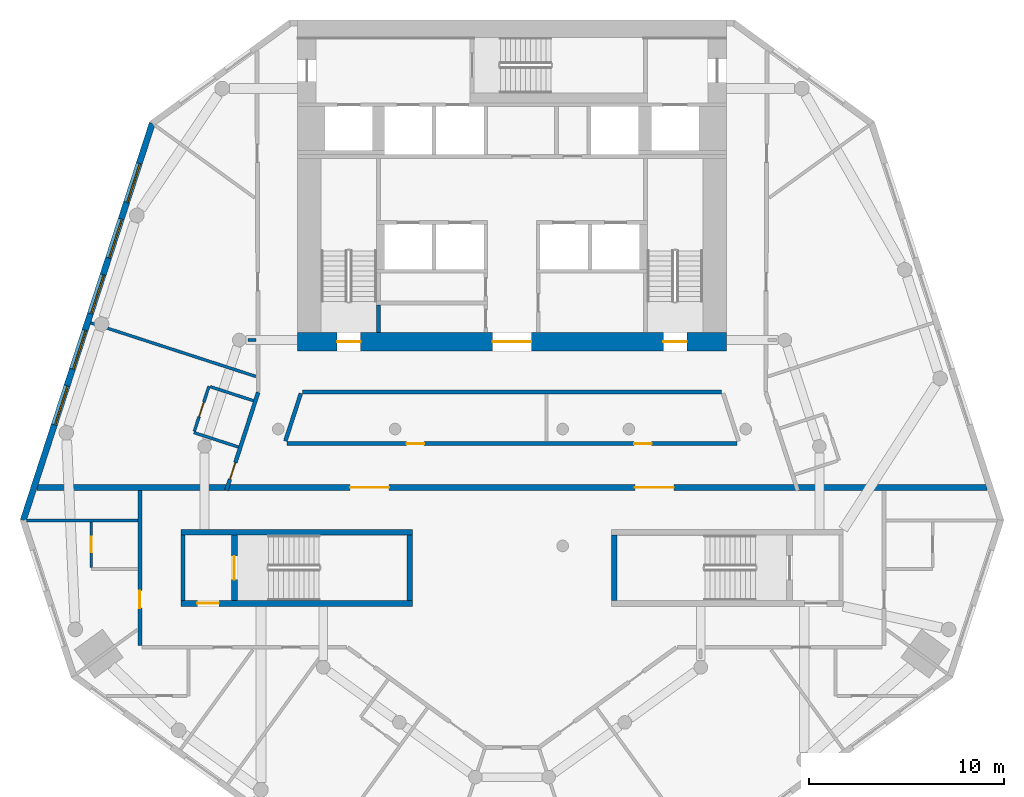
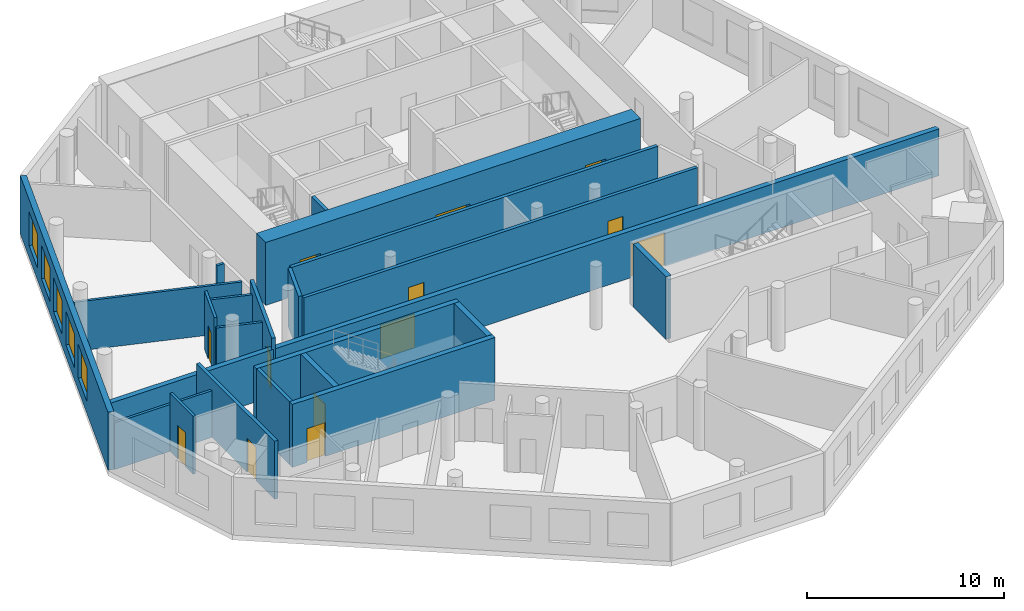
# One storey, part 3 of 9: 22 walls, 13 doors, 5 windows, 18 openings.
"""IFC4 building model written with IfcOpenShell, lengths in metres."""

from ifc_helpers import new_model, si_unit, direction, frame, frame_2d, origin, place, context, subcontext, project, spatial, rectangle, extrude, material, layer, layer_set, type_object, element, fill, save


model = new_model("IFC4")

# Units and contexts
model_context = context("Model", 3, precision=1e-05, world=origin(), true_north=direction((0.0, 1.0)))
body_context = subcontext(model_context, "Body", "Model", "MODEL_VIEW")
ifc_project = project(units=[si_unit("LENGTHUNIT", "METRE"), si_unit("AREAUNIT", "SQUARE_METRE"), si_unit("VOLUMEUNIT", "CUBIC_METRE"), si_unit("PLANEANGLEUNIT", "RADIAN"), si_unit("MASSUNIT", "GRAM", prefix="KILO")], contexts=[model_context])

# Site, building, storey
site_placement = place(None, origin())
site = spatial("IfcSite", under=ifc_project, at=site_placement, CompositionType="ELEMENT")
building_placement = place(site_placement, origin())
building = spatial("IfcBuilding", under=site, at=building_placement, Name="White Candle Pilgrim Tower", CompositionType="ELEMENT")
storey_placement = place(building_placement, frame((0.0, 0.0, 179.800048828125)))
storey = spatial("IfcBuildingStorey", under=building, at=storey_placement, Name="L41", CompositionType="ELEMENT", Elevation=179.800048828125)

# Wall
ifc_material_1 = material(Name="Concrete C60/75", Category="concrete")
ifc_layer_1 = layer(ifc_material_1, 0.199951171875)
ifc_layer_set_1 = layer_set([ifc_layer_1], Name="Core wall 200 mm Concrete C60/75")
wall_type_1 = type_object("IfcWallType", Name="Core wall 200 mm Concrete C60/75", PredefinedType="SHEAR", material=ifc_layer_set_1)
wall_1_placement = place(storey_placement, frame((53.10009765625, 58.199951171875, 0.0), z_axis=(0.0, 0.0, 1.0), x_axis=(0.0, 1.0, 0.0)))
element("IfcWall", 1, at=wall_1_placement, inside=storey, type_object=wall_type_1, Name="WL-L41-C03", PredefinedType="SHEAR", context=body_context, shape_type="SweptSolid", body=[
    extrude(rectangle(XDim=3.35009765625, YDim=0.199951171875, at=frame_2d((1.675048828125, 0.0))), origin(), (0.0, 0.0, 1.0), 3.89990234375),
])

# Wall, opening, door
ifc_material_2 = material(Name="Gypsum board on steel studs", Category="steel")
ifc_layer_2 = layer(ifc_material_2, 0.199951171875)
ifc_layer_set_2 = layer_set([ifc_layer_2], Name="Corridor wall 200 mm EI 45")
wall_type_2 = type_object("IfcWallType", Name="Corridor wall 200 mm EI 45", PredefinedType="PARTITIONING", material=ifc_layer_set_2)
wall_2_placement = place(storey_placement, frame((55.334716796875, 63.85009765625, 0.0), z_axis=(0.0, 0.0, 1.0), x_axis=(0.308996388153, 0.951063211416, 0.0)))
wall_2 = element("IfcWall", 2, at=wall_2_placement, inside=storey, type_object=wall_type_2, Name="WL-L41-P002", PredefinedType="PARTITIONING", context=body_context, shape_type="SweptSolid", body=[
    extrude(rectangle(XDim=5.293701171875, YDim=0.199951171875, at=frame_2d((2.64697265625, 0.0))), origin(), (0.0, 0.0, 1.0), 3.599853515625),
])
opening_1_placement = place(wall_2_placement, frame((0.60009765625, 0.0, 0.0)))
opening_1 = element("IfcOpeningElement", 3, at=opening_1_placement, cuts=wall_2, Name="Opening T12-122", PredefinedType="OPENING", context=body_context, shape_type="SweptSolid", body=[
    extrude(rectangle(XDim=0.89990234375, YDim=2.10009765625, at=frame_2d((0.449951171875, 1.050048828125))), frame((0.0, 0.10986328125, 0.0), z_axis=(0.0, -1.0, 0.0), x_axis=(1.0, 0.0, 0.0)), (0.0, 0.0, 1.0), 0.219970703125),
])
ifc_material_3 = material(Name="Steel door leaf", Category="steel")
door_type_1 = type_object("IfcDoorType", Name="Fire door 900 x 2100 EI 30", OperationType="NOTDEFINED", PredefinedType="DOOR", material=ifc_material_3)
door_1_placement = place(opening_1_placement, origin())
door_1 = element("IfcDoor", 4, at=door_1_placement, inside=storey, type_object=door_type_1, Name="Door T12-122", OperationType="SINGLE_SWING_RIGHT", OverallHeight=2.10009765625, OverallWidth=0.89990234375, PredefinedType="DOOR", context=body_context, shape_type="SweptSolid", body=[
    extrude(rectangle(XDim=0.89990234375, YDim=2.10009765625, at=frame_2d((0.449951171875, 1.050048828125))), frame((0.0, 0.02490234375, 0.0), z_axis=(0.0, -1.0, 0.0), x_axis=(1.0, 0.0, 0.0)), (0.0, 0.0, 1.0), 0.050048828125),
])
fill(opening_1, door_1)

wall_3_placement = place(storey_placement, frame((50.89990234375, 55.89990234375, 0.0), z_axis=(0.0, 0.0, 1.0), x_axis=(0.0, 1.0, 0.0)))
wall_3 = element("IfcWall", 5, at=wall_3_placement, inside=storey, type_object=wall_type_2, Name="WL-L41-P012", PredefinedType="PARTITIONING", context=body_context, shape_type="SweptSolid", body=[
    extrude(rectangle(XDim=7.9501953125, YDim=0.199951171875, at=frame_2d((3.97509765625, 0.0))), origin(), (0.0, 0.0, 1.0), 3.599853515625),
])
opening_2_placement = place(wall_3_placement, frame((1.90478515625, 0.0, 0.0)))
opening_2 = element("IfcOpeningElement", 6, at=opening_2_placement, cuts=wall_3, Name="Opening T12-103", PredefinedType="OPENING", context=body_context, shape_type="SweptSolid", body=[
    extrude(rectangle(XDim=0.89990234375, YDim=2.10009765625, at=frame_2d((0.449951171875, 1.050048828125))), frame((0.0, 0.10986328125, 0.0), z_axis=(0.0, -1.0, 0.0), x_axis=(1.0, 0.0, 0.0)), (0.0, 0.0, 1.0), 0.219970703125),
])
door_2_placement = place(opening_2_placement, origin())
door_2 = element("IfcDoor", 7, at=door_2_placement, inside=storey, type_object=door_type_1, Name="Door T12-103", OperationType="SINGLE_SWING_LEFT", OverallHeight=2.10009765625, OverallWidth=0.89990234375, PredefinedType="DOOR", context=body_context, shape_type="SweptSolid", body=[
    extrude(rectangle(XDim=0.89990234375, YDim=2.10009765625, at=frame_2d((0.449951171875, 1.050048828125))), frame((0.0, 0.02490234375, 0.0), z_axis=(0.0, -1.0, 0.0), x_axis=(1.0, 0.0, 0.0)), (0.0, 0.0, 1.0), 0.050048828125),
])
fill(opening_2, door_2)

# Wall
wall_4_placement = place(storey_placement, frame((59.1611328125, 68.830810546875, 0.0), z_axis=(0.0, 0.0, 1.0), x_axis=(-0.309053927645, -0.951044515155, 0.0)))
element("IfcWall", 8, at=wall_4_placement, inside=storey, type_object=wall_type_2, Name="WL-L41-P013", PredefinedType="PARTITIONING", context=body_context, shape_type="SweptSolid", body=[
    extrude(rectangle(XDim=2.576171875, YDim=0.199951171875, at=frame_2d((1.2880859375, 0.0))), origin(), (0.0, 0.0, 1.0), 3.599853515625),
])

# Wall, openings, doors
wall_5_placement = place(storey_placement, frame((58.460205078125, 66.25, 0.0), z_axis=(0.0, 0.0, 1.0), x_axis=(1.0, 0.0, 0.0)))
wall_5 = element("IfcWall", 9, at=wall_5_placement, inside=storey, type_object=wall_type_2, Name="WL-L41-P014", PredefinedType="PARTITIONING", context=body_context, shape_type="SweptSolid", body=[
    extrude(rectangle(XDim=23.07958984375, YDim=0.199951171875, at=frame_2d((11.539794921875, 0.0))), origin(), (0.0, 0.0, 1.0), 3.599853515625),
])
opening_3_placement = place(wall_5_placement, frame((6.131591796875, 0.0, 0.0)))
opening_3 = element("IfcOpeningElement", 10, at=opening_3_placement, cuts=wall_5, Name="Opening T12-120", PredefinedType="OPENING", context=body_context, shape_type="SweptSolid", body=[
    extrude(rectangle(XDim=0.89990234375, YDim=2.10009765625, at=frame_2d((0.449951171875, 1.050048828125))), frame((0.0, 0.10986328125, 0.0), z_axis=(0.0, -1.0, 0.0), x_axis=(1.0, 0.0, 0.0)), (0.0, 0.0, 1.0), 0.219970703125),
])
opening_4_placement = place(wall_5_placement, frame((17.80908203125, 0.0, 0.0)))
opening_4 = element("IfcOpeningElement", 11, at=opening_4_placement, cuts=wall_5, Name="Opening T12-121", PredefinedType="OPENING", context=body_context, shape_type="SweptSolid", body=[
    extrude(rectangle(XDim=0.89990234375, YDim=2.10009765625, at=frame_2d((0.449951171875, 1.050048828125))), frame((0.0, 0.10986328125, 0.0), z_axis=(0.0, -1.0, 0.0), x_axis=(1.0, 0.0, 0.0)), (0.0, 0.0, 1.0), 0.219970703125),
])
door_3_placement = place(opening_3_placement, origin())
door_3 = element("IfcDoor", 12, at=door_3_placement, inside=storey, type_object=door_type_1, Name="Door T12-120", OperationType="SINGLE_SWING_RIGHT", OverallHeight=2.10009765625, OverallWidth=0.89990234375, PredefinedType="DOOR", context=body_context, shape_type="SweptSolid", body=[
    extrude(rectangle(XDim=0.89990234375, YDim=2.10009765625, at=frame_2d((0.449951171875, 1.050048828125))), frame((0.0, 0.02490234375, 0.0), z_axis=(0.0, -1.0, 0.0), x_axis=(1.0, 0.0, 0.0)), (0.0, 0.0, 1.0), 0.050048828125),
])
fill(opening_3, door_3)
door_4_placement = place(opening_4_placement, origin())
door_4 = element("IfcDoor", 13, at=door_4_placement, inside=storey, type_object=door_type_1, Name="Door T12-121", OperationType="SINGLE_SWING_RIGHT", OverallHeight=2.10009765625, OverallWidth=0.89990234375, PredefinedType="DOOR", context=body_context, shape_type="SweptSolid", body=[
    extrude(rectangle(XDim=0.89990234375, YDim=2.10009765625, at=frame_2d((0.449951171875, 1.050048828125))), frame((0.0, 0.02490234375, 0.0), z_axis=(0.0, -1.0, 0.0), x_axis=(1.0, 0.0, 0.0)), (0.0, 0.0, 1.0), 0.050048828125),
])
fill(opening_4, door_4)

# Wall
wall_6_placement = place(storey_placement, frame((80.743896484375, 68.89990234375, 0.0), z_axis=(0.0, 0.0, 1.0), x_axis=(-1.0, 0.0, 0.0)))
element("IfcWall", 14, at=wall_6_placement, inside=storey, type_object=wall_type_2, Name="WL-L41-P016", PredefinedType="PARTITIONING", context=body_context, shape_type="SweptSolid", body=[
    extrude(rectangle(XDim=21.48779296875, YDim=0.199951171875, at=frame_2d((10.743896484375, 0.0))), origin(), (0.0, 0.0, 1.0), 3.599853515625),
])

# Wall, openings, windows
ifc_material_4 = material(Name="Precast concrete C40/50", Category="concrete")
ifc_layer_3 = layer(ifc_material_4, 0.320068359375)
ifc_layer_set_3 = layer_set([ifc_layer_3], Name="Facade wall EW1 precast concrete C40/50 pier wall with timber-lined reveals")
wall_type_3 = type_object("IfcWallType", Name="Facade wall EW1 precast concrete C40/50 pier wall with timber-lined reveals", PredefinedType="SOLIDWALL", material=ifc_layer_set_3)
wall_7_placement = place(storey_placement, frame((51.531494140625, 82.693603515625, 0.0), z_axis=(0.0, 0.0, 1.0), x_axis=(-0.309016769675, -0.951056589304, 0.0)))
wall_7 = element("IfcWall", 15, at=wall_7_placement, inside=storey, type_object=wall_type_3, Name="Facade wall L41 WNW", PredefinedType="SOLIDWALL", context=body_context, shape_type="SweptSolid", body=[
    extrude(rectangle(XDim=21.427978515625, YDim=0.320068359375, at=frame_2d((10.7138671875, 0.0))), origin(), (0.0, 0.0, 1.0), 3.599853515625),
])
opening_5_placement = place(wall_7_placement, frame((2.163818359375, 0.0, 0.75)))
opening_5 = element("IfcOpeningElement", 16, at=opening_5_placement, cuts=wall_7, Name="Opening W3", PredefinedType="OPENING", context=body_context, shape_type="SweptSolid", body=[
    extrude(rectangle(XDim=2.10009765625, YDim=2.10009765625, at=frame_2d((1.050048828125, 1.050048828125))), frame((0.0, 0.169921875, 0.0), z_axis=(0.0, -1.0, 0.0), x_axis=(1.0, 0.0, 0.0)), (0.0, 0.0, 1.0), 0.340087890625),
])
opening_6_placement = place(wall_7_placement, frame((5.163818359375, 0.0, 0.75)))
opening_6 = element("IfcOpeningElement", 17, at=opening_6_placement, cuts=wall_7, Name="Opening W3", PredefinedType="OPENING", context=body_context, shape_type="SweptSolid", body=[
    extrude(rectangle(XDim=2.10009765625, YDim=2.10009765625, at=frame_2d((1.050048828125, 1.050048828125))), frame((0.0, 0.169921875, 0.0), z_axis=(0.0, -1.0, 0.0), x_axis=(1.0, 0.0, 0.0)), (0.0, 0.0, 1.0), 0.340087890625),
])
opening_7_placement = place(wall_7_placement, frame((8.163818359375, 0.0, 0.75)))
opening_7 = element("IfcOpeningElement", 18, at=opening_7_placement, cuts=wall_7, Name="Opening W3", PredefinedType="OPENING", context=body_context, shape_type="SweptSolid", body=[
    extrude(rectangle(XDim=2.10009765625, YDim=2.10009765625, at=frame_2d((1.050048828125, 1.050048828125))), frame((0.0, 0.169921875, 0.0), z_axis=(0.0, -1.0, 0.0), x_axis=(1.0, 0.0, 0.0)), (0.0, 0.0, 1.0), 0.340087890625),
])
opening_8_placement = place(wall_7_placement, frame((11.163818359375, 0.0, 0.75)))
opening_8 = element("IfcOpeningElement", 19, at=opening_8_placement, cuts=wall_7, Name="Opening W3", PredefinedType="OPENING", context=body_context, shape_type="SweptSolid", body=[
    extrude(rectangle(XDim=2.10009765625, YDim=2.10009765625, at=frame_2d((1.050048828125, 1.050048828125))), frame((0.0, 0.169921875, 0.0), z_axis=(0.0, -1.0, 0.0), x_axis=(1.0, 0.0, 0.0)), (0.0, 0.0, 1.0), 0.340087890625),
])
opening_9_placement = place(wall_7_placement, frame((14.163818359375, 0.0, 0.75)))
opening_9 = element("IfcOpeningElement", 20, at=opening_9_placement, cuts=wall_7, Name="Opening W3", PredefinedType="OPENING", context=body_context, shape_type="SweptSolid", body=[
    extrude(rectangle(XDim=2.10009765625, YDim=2.10009765625, at=frame_2d((1.050048828125, 1.050048828125))), frame((0.0, 0.169921875, 0.0), z_axis=(0.0, -1.0, 0.0), x_axis=(1.0, 0.0, 0.0)), (0.0, 0.0, 1.0), 0.340087890625),
])
ifc_material_5 = material(Name="Timber frame with triple glazing", Category="wood")
window_type = type_object("IfcWindowType", Name="Window W3 2100x2100 timber frame triple glazing", PartitioningType="SINGLE_PANEL", PredefinedType="WINDOW", material=ifc_material_5)
window_1_placement = place(opening_5_placement, origin())
window_1 = element("IfcWindow", 21, at=window_1_placement, inside=storey, type_object=window_type, Name="Window W3 L41 WNW 1", OverallHeight=2.10009765625, OverallWidth=2.10009765625, PartitioningType="SINGLE_PANEL", PredefinedType="WINDOW", context=body_context, shape_type="SweptSolid", body=[
    extrude(rectangle(XDim=2.10009765625, YDim=2.10009765625, at=frame_2d((1.050048828125, 1.050048828125))), frame((0.0, 0.070068359375, 0.0), z_axis=(0.0, -1.0, 0.0), x_axis=(1.0, 0.0, 0.0)), (0.0, 0.0, 1.0), 0.06005859375),
])
fill(opening_5, window_1)
window_2_placement = place(opening_6_placement, origin())
window_2 = element("IfcWindow", 22, at=window_2_placement, inside=storey, type_object=window_type, Name="Window W3 L41 WNW 2", OverallHeight=2.10009765625, OverallWidth=2.10009765625, PartitioningType="SINGLE_PANEL", PredefinedType="WINDOW", context=body_context, shape_type="SweptSolid", body=[
    extrude(rectangle(XDim=2.10009765625, YDim=2.10009765625, at=frame_2d((1.050048828125, 1.050048828125))), frame((0.0, 0.070068359375, 0.0), z_axis=(0.0, -1.0, 0.0), x_axis=(1.0, 0.0, 0.0)), (0.0, 0.0, 1.0), 0.06005859375),
])
fill(opening_6, window_2)
window_3_placement = place(opening_7_placement, origin())
window_3 = element("IfcWindow", 23, at=window_3_placement, inside=storey, type_object=window_type, Name="Window W3 L41 WNW 3", OverallHeight=2.10009765625, OverallWidth=2.10009765625, PartitioningType="SINGLE_PANEL", PredefinedType="WINDOW", context=body_context, shape_type="SweptSolid", body=[
    extrude(rectangle(XDim=2.10009765625, YDim=2.10009765625, at=frame_2d((1.050048828125, 1.050048828125))), frame((0.0, 0.070068359375, 0.0), z_axis=(0.0, -1.0, 0.0), x_axis=(1.0, 0.0, 0.0)), (0.0, 0.0, 1.0), 0.06005859375),
])
fill(opening_7, window_3)
window_4_placement = place(opening_8_placement, origin())
window_4 = element("IfcWindow", 24, at=window_4_placement, inside=storey, type_object=window_type, Name="Window W3 L41 WNW 4", OverallHeight=2.10009765625, OverallWidth=2.10009765625, PartitioningType="SINGLE_PANEL", PredefinedType="WINDOW", context=body_context, shape_type="SweptSolid", body=[
    extrude(rectangle(XDim=2.10009765625, YDim=2.10009765625, at=frame_2d((1.050048828125, 1.050048828125))), frame((0.0, 0.070068359375, 0.0), z_axis=(0.0, -1.0, 0.0), x_axis=(1.0, 0.0, 0.0)), (0.0, 0.0, 1.0), 0.06005859375),
])
fill(opening_8, window_4)
window_5_placement = place(opening_9_placement, origin())
window_5 = element("IfcWindow", 25, at=window_5_placement, inside=storey, type_object=window_type, Name="Window W3 L41 WNW 5", OverallHeight=2.10009765625, OverallWidth=2.10009765625, PartitioningType="SINGLE_PANEL", PredefinedType="WINDOW", context=body_context, shape_type="SweptSolid", body=[
    extrude(rectangle(XDim=2.10009765625, YDim=2.10009765625, at=frame_2d((1.050048828125, 1.050048828125))), frame((0.0, 0.070068359375, 0.0), z_axis=(0.0, -1.0, 0.0), x_axis=(1.0, 0.0, 0.0)), (0.0, 0.0, 1.0), 0.06005859375),
])
fill(opening_9, window_5)

# Wall, openings, doors
ifc_material_6 = material(Name="Aerated concrete block", Category="concrete")
ifc_layer_4 = layer(ifc_material_6, 0.300048828125)
ifc_layer_set_4 = layer_set([ifc_layer_4], Name="Fire wall 300 mm REI 240")
wall_type_4 = type_object("IfcWallType", Name="Fire wall 300 mm REI 240", PredefinedType="PARTITIONING", material=ifc_layer_set_4)
wall_8_placement = place(storey_placement, frame((45.625732421875, 64.0, 0.0), z_axis=(0.0, 0.0, 1.0), x_axis=(1.0, 0.0, 0.0)))
wall_8 = element("IfcWall", 26, at=wall_8_placement, inside=storey, type_object=wall_type_4, Name="WL-L41-P001", PredefinedType="PARTITIONING", context=body_context, shape_type="SweptSolid", body=[
    extrude(rectangle(XDim=48.74853515625, YDim=0.300048828125, at=frame_2d((24.374267578125, 0.0))), origin(), (0.0, 0.0, 1.0), 2.89990234375),
])
opening_10_placement = place(wall_8_placement, frame((16.06591796875, 0.0, 0.0)))
opening_10 = element("IfcOpeningElement", 27, at=opening_10_placement, cuts=wall_8, Name="Opening T12-118", PredefinedType="OPENING", context=body_context, shape_type="SweptSolid", body=[
    extrude(rectangle(XDim=2.0, YDim=2.10009765625, at=frame_2d((1.0, 1.050048828125))), frame((0.0, 0.159912109375, 0.0), z_axis=(0.0, -1.0, 0.0), x_axis=(1.0, 0.0, 0.0)), (0.0, 0.0, 1.0), 0.320068359375),
])
opening_11_placement = place(wall_8_placement, frame((30.6826171875, 0.0, 0.0)))
opening_11 = element("IfcOpeningElement", 28, at=opening_11_placement, cuts=wall_8, Name="Opening T12-119", PredefinedType="OPENING", context=body_context, shape_type="SweptSolid", body=[
    extrude(rectangle(XDim=2.0, YDim=2.10009765625, at=frame_2d((1.0, 1.050048828125))), frame((0.0, 0.159912109375, 0.0), z_axis=(0.0, -1.0, 0.0), x_axis=(1.0, 0.0, 0.0)), (0.0, 0.0, 1.0), 0.320068359375),
])
door_type_2 = type_object("IfcDoorType", Name="Fire door 2000 x 2100 EI 60", OperationType="NOTDEFINED", PredefinedType="DOOR", material=ifc_material_3)
door_5_placement = place(opening_10_placement, origin())
door_5 = element("IfcDoor", 29, at=door_5_placement, inside=storey, type_object=door_type_2, Name="Door T12-118", OperationType="DOUBLE_DOOR_SINGLE_SWING", OverallHeight=2.10009765625, OverallWidth=2.0, PredefinedType="DOOR", context=body_context, shape_type="SweptSolid", body=[
    extrude(rectangle(XDim=2.0, YDim=2.10009765625, at=frame_2d((1.0, 1.050048828125))), frame((0.0, 0.02490234375, 0.0), z_axis=(0.0, -1.0, 0.0), x_axis=(1.0, 0.0, 0.0)), (0.0, 0.0, 1.0), 0.050048828125),
])
fill(opening_10, door_5)
door_6_placement = place(opening_11_placement, origin())
door_6 = element("IfcDoor", 30, at=door_6_placement, inside=storey, type_object=door_type_2, Name="Door T12-119", OperationType="DOUBLE_DOOR_SINGLE_SWING", OverallHeight=2.10009765625, OverallWidth=2.0, PredefinedType="DOOR", context=body_context, shape_type="SweptSolid", body=[
    extrude(rectangle(XDim=2.0, YDim=2.10009765625, at=frame_2d((1.0, 1.050048828125))), frame((0.0, 0.02490234375, 0.0), z_axis=(0.0, -1.0, 0.0), x_axis=(1.0, 0.0, 0.0)), (0.0, 0.0, 1.0), 0.050048828125),
])
fill(opening_11, door_6)

# Walls
ifc_layer_5 = layer(ifc_material_2, 0.14990234375)
ifc_layer_set_5 = layer_set([ifc_layer_5], Name="Partition 150 mm EI 60")
wall_type_5 = type_object("IfcWallType", Name="Partition 150 mm EI 60", PredefinedType="PARTITIONING", material=ifc_layer_set_5)
wall_9_placement = place(storey_placement, frame((45.078125, 62.314453125, 0.0), z_axis=(0.0, 0.0, 1.0), x_axis=(1.0, 0.0, 0.0)))
element("IfcWall", 31, at=wall_9_placement, inside=storey, type_object=wall_type_5, Name="WL-L41-P018", PredefinedType="PARTITIONING", context=body_context, shape_type="SweptSolid", body=[
    extrude(rectangle(XDim=5.721923828125, YDim=0.14990234375, at=frame_2d((2.86083984375, 0.0))), origin(), (0.0, 0.0, 1.0), 2.89990234375),
])
wall_10_placement = place(storey_placement, frame((48.372802734375, 72.45458984375, 0.0), z_axis=(0.0, 0.0, 1.0), x_axis=(0.951055809184, -0.30901917063, 0.0)))
element("IfcWall", 32, at=wall_10_placement, inside=storey, type_object=wall_type_5, Name="WL-L41-P025", PredefinedType="PARTITIONING", context=body_context, shape_type="SweptSolid", body=[
    extrude(rectangle(XDim=8.911865234375, YDim=0.14990234375, at=frame_2d((4.4560546875, 0.0))), origin(), (0.0, 0.0, 1.0), 3.050048828125),
])
wall_11_placement = place(storey_placement, frame((55.953369140625, 66.07763671875, 0.0), z_axis=(0.0, 0.0, 1.0), x_axis=(-0.951046776628, 0.309046968381, 0.0)))
element("IfcWall", 33, at=wall_11_placement, inside=storey, type_object=wall_type_5, Name="WL-L41-P026", PredefinedType="PARTITIONING", context=body_context, shape_type="SweptSolid", body=[
    extrude(rectangle(XDim=2.39990234375, YDim=0.14990234375, at=frame_2d((1.199951171875, 0.0))), origin(), (0.0, 0.0, 1.0), 3.050048828125),
])

# Wall, opening, door
wall_12_placement = place(storey_placement, frame((54.443359375, 69.197021484375, 0.0), z_axis=(0.0, 0.0, 1.0), x_axis=(-0.308969972841, -0.951071793233, 0.0)))
wall_12 = element("IfcWall", 34, at=wall_12_placement, inside=storey, type_object=wall_type_5, Name="WL-L41-P027", PredefinedType="PARTITIONING", context=body_context, shape_type="SweptSolid", body=[
    extrude(rectangle(XDim=2.425048828125, YDim=0.14990234375, at=frame_2d((1.21240234375, 0.0))), origin(), (0.0, 0.0, 1.0), 3.599853515625),
])
opening_12_placement = place(wall_12_placement, frame((0.85009765625, 0.0, 0.0)))
opening_12 = element("IfcOpeningElement", 35, at=opening_12_placement, cuts=wall_12, Name="Opening T12-101", PredefinedType="OPENING", context=body_context, shape_type="SweptSolid", body=[
    extrude(rectangle(XDim=0.800048828125, YDim=2.10009765625, at=frame_2d((0.39990234375, 1.050048828125))), frame((0.0, 0.0849609375, 0.0), z_axis=(0.0, -1.0, 0.0), x_axis=(1.0, 0.0, 0.0)), (0.0, 0.0, 1.0), 0.169921875),
])
door_type_3 = type_object("IfcDoorType", Name="Fire door 800 x 2100 EI 30", OperationType="NOTDEFINED", PredefinedType="DOOR", material=ifc_material_3)
door_7_placement = place(opening_12_placement, frame((0.800048828125, 0.0, 0.0), z_axis=(0.0, 0.0, 1.0), x_axis=(-1.0, 0.0, 0.0)))
door_7 = element("IfcDoor", 36, at=door_7_placement, inside=storey, type_object=door_type_3, Name="Door T12-101", OperationType="SINGLE_SWING_RIGHT", OverallHeight=2.10009765625, OverallWidth=0.800048828125, PredefinedType="DOOR", context=body_context, shape_type="SweptSolid", body=[
    extrude(rectangle(XDim=0.800048828125, YDim=2.10009765625, at=frame_2d((0.39990234375, 1.050048828125))), frame((0.0, 0.02490234375, 0.0), z_axis=(0.0, -1.0, 0.0), x_axis=(1.0, 0.0, 0.0)), (0.0, 0.0, 1.0), 0.050048828125),
])
fill(opening_12, door_7)

# Wall
wall_13_placement = place(storey_placement, frame((56.725830078125, 68.455322265625, 0.0), z_axis=(0.0, 0.0, 1.0), x_axis=(-0.951050272606, 0.309036209813, 0.0)))
element("IfcWall", 37, at=wall_13_placement, inside=storey, type_object=wall_type_5, Name="WL-L41-P028", PredefinedType="PARTITIONING", context=body_context, shape_type="SweptSolid", body=[
    extrude(rectangle(XDim=2.324951171875, YDim=0.14990234375, at=frame_2d((1.16259765625, 0.0))), origin(), (0.0, 0.0, 1.0), 3.050048828125),
])

# Wall, opening, door
wall_14_placement = place(storey_placement, frame((48.39990234375, 62.239501953125, 0.0), z_axis=(0.0, 0.0, 1.0), x_axis=(0.0, -1.0, 0.0)))
wall_14 = element("IfcWall", 38, at=wall_14_placement, inside=storey, type_object=wall_type_5, Name="WL-L41-P030", PredefinedType="PARTITIONING", context=body_context, shape_type="SweptSolid", body=[
    extrude(rectangle(XDim=2.35009765625, YDim=0.14990234375, at=frame_2d((1.175048828125, 0.0))), origin(), (0.0, 0.0, 1.0), 3.599853515625),
])
opening_13_placement = place(wall_14_placement, frame((0.77490234375, 0.0, 0.0)))
opening_13 = element("IfcOpeningElement", 39, at=opening_13_placement, cuts=wall_14, Name="Opening T12-102", PredefinedType="OPENING", context=body_context, shape_type="SweptSolid", body=[
    extrude(rectangle(XDim=0.800048828125, YDim=2.10009765625, at=frame_2d((0.39990234375, 1.050048828125))), frame((0.0, 0.0849609375, 0.0), z_axis=(0.0, -1.0, 0.0), x_axis=(1.0, 0.0, 0.0)), (0.0, 0.0, 1.0), 0.169921875),
])
door_8_placement = place(opening_13_placement, frame((0.800048828125, 0.0, 0.0), z_axis=(0.0, 0.0, 1.0), x_axis=(-1.0, 0.0, 0.0)))
door_8 = element("IfcDoor", 40, at=door_8_placement, inside=storey, type_object=door_type_3, Name="Door T12-102", OperationType="SINGLE_SWING_LEFT", OverallHeight=2.10009765625, OverallWidth=0.800048828125, PredefinedType="DOOR", context=body_context, shape_type="SweptSolid", body=[
    extrude(rectangle(XDim=0.800048828125, YDim=2.10009765625, at=frame_2d((0.39990234375, 1.050048828125))), frame((0.0, 0.02490234375, 0.0), z_axis=(0.0, -1.0, 0.0), x_axis=(1.0, 0.0, 0.0)), (0.0, 0.0, 1.0), 0.050048828125),
])
fill(opening_13, door_8)

# Walls
wall_15_placement = place(storey_placement, frame((56.43994140625, 71.572509765625, 0.0), z_axis=(0.0, 0.0, 1.0), x_axis=(0.999991879904, 0.004029903949, 0.0)))
element("IfcWall", 41, at=wall_15_placement, inside=storey, type_object=wall_type_5, Name="WL-L41-P054", PredefinedType="PARTITIONING", context=body_context, shape_type="SweptSolid", body=[
    extrude(rectangle(XDim=0.424072265625, YDim=0.14990234375, at=frame_2d((0.2119140625, 0.0))), origin(), (0.0, 0.0, 1.0), 3.050048828125),
])
ifc_layer_6 = layer(ifc_material_1, 0.199951171875)
ifc_layer_set_6 = layer_set([ifc_layer_6], Name="Stair shaft wall 200 mm Concrete C60/75")
wall_type_6 = type_object("IfcWallType", Name="Stair shaft wall 200 mm Concrete C60/75", PredefinedType="SHEAR", material=ifc_layer_set_6)
wall_16_placement = place(storey_placement, frame((63.14990234375, 71.949951171875, 0.0), z_axis=(0.0, 0.0, 1.0), x_axis=(0.0, 1.0, 0.0)))
element("IfcWall", 42, at=wall_16_placement, inside=storey, type_object=wall_type_6, Name="WL-L41-C13", PredefinedType="SHEAR", context=body_context, shape_type="SweptSolid", body=[
    extrude(rectangle(XDim=1.425048828125, YDim=0.199951171875, at=frame_2d((0.71240234375, 0.0))), origin(), (0.0, 0.0, 1.0), 3.89990234375),
])

# Wall, opening, door
ifc_layer_7 = layer(ifc_material_1, 0.300048828125)
ifc_layer_set_7 = layer_set([ifc_layer_7], Name="Stair shaft wall 300 mm Concrete C60/75")
wall_type_7 = type_object("IfcWallType", Name="Stair shaft wall 300 mm Concrete C60/75", PredefinedType="SHEAR", material=ifc_layer_set_7)
wall_17_placement = place(storey_placement, frame((53.0, 58.050048828125, 0.0), z_axis=(0.0, 0.0, 1.0), x_axis=(1.0, 0.0, 0.0)))
wall_17 = element("IfcWall", 43, at=wall_17_placement, inside=storey, type_object=wall_type_7, Name="WL-L41-C01", PredefinedType="SHEAR", context=body_context, shape_type="SweptSolid", body=[
    extrude(rectangle(XDim=11.89990234375, YDim=0.300048828125, at=frame_2d((5.949951171875, 0.0))), origin(), (0.0, 0.0, 1.0), 3.89990234375),
])
opening_14_placement = place(wall_17_placement, frame((0.85009765625, 0.0, 0.0)))
opening_14 = element("IfcOpeningElement", 44, at=opening_14_placement, cuts=wall_17, Name="Opening T12-010", PredefinedType="OPENING", context=body_context, shape_type="SweptSolid", body=[
    extrude(rectangle(XDim=1.10009765625, YDim=2.10009765625, at=frame_2d((0.550048828125, 1.050048828125))), frame((0.0, 0.159912109375, 0.0), z_axis=(0.0, -1.0, 0.0), x_axis=(1.0, 0.0, 0.0)), (0.0, 0.0, 1.0), 0.320068359375),
])
door_type_4 = type_object("IfcDoorType", Name="Fire door 1100 x 2100 EI 60", OperationType="NOTDEFINED", PredefinedType="DOOR", material=ifc_material_3)
door_9_placement = place(opening_14_placement, origin())
door_9 = element("IfcDoor", 45, at=door_9_placement, inside=storey, type_object=door_type_4, Name="Door T12-010", OperationType="SINGLE_SWING_RIGHT", OverallHeight=2.10009765625, OverallWidth=1.10009765625, PredefinedType="DOOR", context=body_context, shape_type="SweptSolid", body=[
    extrude(rectangle(XDim=1.10009765625, YDim=2.10009765625, at=frame_2d((0.550048828125, 1.050048828125))), frame((0.0, 0.02490234375, 0.0), z_axis=(0.0, -1.0, 0.0), x_axis=(1.0, 0.0, 0.0)), (0.0, 0.0, 1.0), 0.050048828125),
])
fill(opening_14, door_9)

wall_18_placement = place(storey_placement, frame((55.75, 58.199951171875, 0.0), z_axis=(0.0, 0.0, 1.0), x_axis=(0.0, 1.0, 0.0)))
wall_18 = element("IfcWall", 46, at=wall_18_placement, inside=storey, type_object=wall_type_7, Name="WL-L41-C04", PredefinedType="SHEAR", context=body_context, shape_type="SweptSolid", body=[
    extrude(rectangle(XDim=3.35009765625, YDim=0.300048828125, at=frame_2d((1.675048828125, 0.0))), origin(), (0.0, 0.0, 1.0), 3.89990234375),
])
opening_15_placement = place(wall_18_placement, frame((1.074951171875, 0.0, 0.0)))
opening_15 = element("IfcOpeningElement", 47, at=opening_15_placement, cuts=wall_18, Name="Opening T12-011", PredefinedType="OPENING", context=body_context, shape_type="SweptSolid", body=[
    extrude(rectangle(XDim=1.199951171875, YDim=2.10009765625, at=frame_2d((0.60009765625, 1.050048828125))), frame((0.0, 0.159912109375, 0.0), z_axis=(0.0, -1.0, 0.0), x_axis=(1.0, 0.0, 0.0)), (0.0, 0.0, 1.0), 0.320068359375),
])
door_type_5 = type_object("IfcDoorType", Name="Fire door 1200 x 2100 EI 60", OperationType="NOTDEFINED", PredefinedType="DOOR", material=ifc_material_3)
door_10_placement = place(opening_15_placement, frame((1.199951171875, 0.0, 0.0), z_axis=(0.0, 0.0, 1.0), x_axis=(-1.0, 0.0, 0.0)))
door_10 = element("IfcDoor", 48, at=door_10_placement, inside=storey, type_object=door_type_5, Name="Door T12-011", OperationType="SINGLE_SWING_RIGHT", OverallHeight=2.10009765625, OverallWidth=1.199951171875, PredefinedType="DOOR", context=body_context, shape_type="SweptSolid", body=[
    extrude(rectangle(XDim=1.199951171875, YDim=2.10009765625, at=frame_2d((0.60009765625, 1.050048828125))), frame((0.0, 0.02490234375, 0.0), z_axis=(0.0, -1.0, 0.0), x_axis=(1.0, 0.0, 0.0)), (0.0, 0.0, 1.0), 0.050048828125),
])
fill(opening_15, door_10)

# Walls
for number, where, z_axis, x_axis, name in (
    (49, (64.75, 58.199951171875, 0.0), (0.0, 0.0, 1.0), (0.0, 1.0, 0.0), "WL-L41-C05"),
    (50, (75.25, 58.199951171875, 0.0), (0.0, 0.0, 1.0), (0.0, 1.0, 0.0), "WL-L41-C06"),
):
    element("IfcWall", number, at=place(storey_placement, frame(where, z_axis=z_axis, x_axis=x_axis)), inside=storey, type_object=wall_type_7, Name=name, PredefinedType="SHEAR", context=body_context, shape_type="SweptSolid", body=[
        extrude(rectangle(XDim=3.35009765625, YDim=0.300048828125, at=frame_2d((1.675048828125, 0.0))), origin(), (0.0, 0.0, 1.0), 3.89990234375),
    ])
wall_19_placement = place(storey_placement, frame((53.0, 61.699951171875, 0.0), z_axis=(0.0, 0.0, 1.0), x_axis=(1.0, 0.0, 0.0)))
element("IfcWall", 51, at=wall_19_placement, inside=storey, type_object=wall_type_7, Name="WL-L41-C09", PredefinedType="SHEAR", context=body_context, shape_type="SweptSolid", body=[
    extrude(rectangle(XDim=11.89990234375, YDim=0.300048828125, at=frame_2d((5.949951171875, 0.0))), origin(), (0.0, 0.0, 1.0), 3.89990234375),
])

# Wall, openings, doors
ifc_layer_8 = layer(ifc_material_1, 0.949951171875)
ifc_layer_set_8 = layer_set([ifc_layer_8], Name="Stair shaft wall 950 mm Concrete C60/75")
wall_type_8 = type_object("IfcWallType", Name="Stair shaft wall 950 mm Concrete C60/75", PredefinedType="SHEAR", material=ifc_layer_set_8)
wall_20_placement = place(storey_placement, frame((59.0, 71.47509765625, 0.0), z_axis=(0.0, 0.0, 1.0), x_axis=(1.0, 0.0, 0.0)))
wall_20 = element("IfcWall", 52, at=wall_20_placement, inside=storey, type_object=wall_type_8, Name="WL-L41-C11", PredefinedType="SHEAR", context=body_context, shape_type="SweptSolid", body=[
    extrude(rectangle(XDim=22.0, YDim=0.949951171875, at=frame_2d((11.0, 0.0))), origin(), (0.0, 0.0, 1.0), 3.89990234375),
])
opening_16_placement = place(wall_20_placement, frame((2.02490234375, 0.0, 0.0)))
opening_16 = element("IfcOpeningElement", 53, at=opening_16_placement, cuts=wall_20, Name="Opening T12-001", PredefinedType="OPENING", context=body_context, shape_type="SweptSolid", body=[
    extrude(rectangle(XDim=1.199951171875, YDim=2.10009765625, at=frame_2d((0.60009765625, 1.050048828125))), frame((0.0, 0.48486328125, 0.0), z_axis=(0.0, -1.0, 0.0), x_axis=(1.0, 0.0, 0.0)), (0.0, 0.0, 1.0), 0.969970703125),
])
opening_17_placement = place(wall_20_placement, frame((18.77490234375, 0.0, 0.0)))
opening_17 = element("IfcOpeningElement", 54, at=opening_17_placement, cuts=wall_20, Name="Opening T12-002", PredefinedType="OPENING", context=body_context, shape_type="SweptSolid", body=[
    extrude(rectangle(XDim=1.199951171875, YDim=2.10009765625, at=frame_2d((0.60009765625, 1.050048828125))), frame((0.0, 0.48486328125, 0.0), z_axis=(0.0, -1.0, 0.0), x_axis=(1.0, 0.0, 0.0)), (0.0, 0.0, 1.0), 0.969970703125),
])
opening_18_placement = place(wall_20_placement, frame((10.0, 0.0, 0.0)))
opening_18 = element("IfcOpeningElement", 55, at=opening_18_placement, cuts=wall_20, Name="Opening T12-004", PredefinedType="OPENING", context=body_context, shape_type="SweptSolid", body=[
    extrude(rectangle(XDim=2.0, YDim=2.10009765625, at=frame_2d((1.0, 1.050048828125))), frame((0.0, 0.48486328125, 0.0), z_axis=(0.0, -1.0, 0.0), x_axis=(1.0, 0.0, 0.0)), (0.0, 0.0, 1.0), 0.969970703125),
])
door_11_placement = place(opening_16_placement, frame((1.199951171875, 0.0, 0.0), z_axis=(0.0, 0.0, 1.0), x_axis=(-1.0, 0.0, 0.0)))
door_11 = element("IfcDoor", 56, at=door_11_placement, inside=storey, type_object=door_type_5, Name="Door T12-001", OperationType="SINGLE_SWING_RIGHT", OverallHeight=2.10009765625, OverallWidth=1.199951171875, PredefinedType="DOOR", context=body_context, shape_type="SweptSolid", body=[
    extrude(rectangle(XDim=1.199951171875, YDim=2.10009765625, at=frame_2d((0.60009765625, 1.050048828125))), frame((0.0, 0.02490234375, 0.0), z_axis=(0.0, -1.0, 0.0), x_axis=(1.0, 0.0, 0.0)), (0.0, 0.0, 1.0), 0.050048828125),
])
fill(opening_16, door_11)
door_12_placement = place(opening_17_placement, frame((1.199951171875, 0.0, 0.0), z_axis=(0.0, 0.0, 1.0), x_axis=(-1.0, 0.0, 0.0)))
door_12 = element("IfcDoor", 57, at=door_12_placement, inside=storey, type_object=door_type_5, Name="Door T12-002", OperationType="SINGLE_SWING_LEFT", OverallHeight=2.10009765625, OverallWidth=1.199951171875, PredefinedType="DOOR", context=body_context, shape_type="SweptSolid", body=[
    extrude(rectangle(XDim=1.199951171875, YDim=2.10009765625, at=frame_2d((0.60009765625, 1.050048828125))), frame((0.0, 0.02490234375, 0.0), z_axis=(0.0, -1.0, 0.0), x_axis=(1.0, 0.0, 0.0)), (0.0, 0.0, 1.0), 0.050048828125),
])
fill(opening_17, door_12)
door_13_placement = place(opening_18_placement, frame((2.0, 0.0, 0.0), z_axis=(0.0, 0.0, 1.0), x_axis=(-1.0, 0.0, 0.0)))
door_13 = element("IfcDoor", 58, at=door_13_placement, inside=storey, type_object=door_type_2, Name="Door T12-004", OperationType="DOUBLE_DOOR_SINGLE_SWING", OverallHeight=2.10009765625, OverallWidth=2.0, PredefinedType="DOOR", context=body_context, shape_type="SweptSolid", body=[
    extrude(rectangle(XDim=2.0, YDim=2.10009765625, at=frame_2d((1.0, 1.050048828125))), frame((0.0, 0.02490234375, 0.0), z_axis=(0.0, -1.0, 0.0), x_axis=(1.0, 0.0, 0.0)), (0.0, 0.0, 1.0), 0.050048828125),
])
fill(opening_18, door_13)

save(model, "model.ifc")
